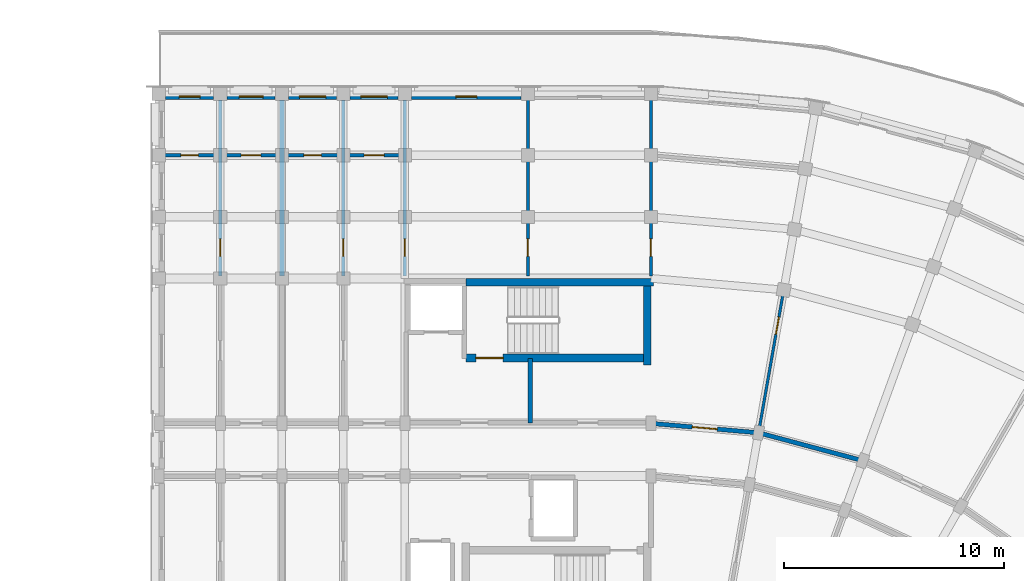
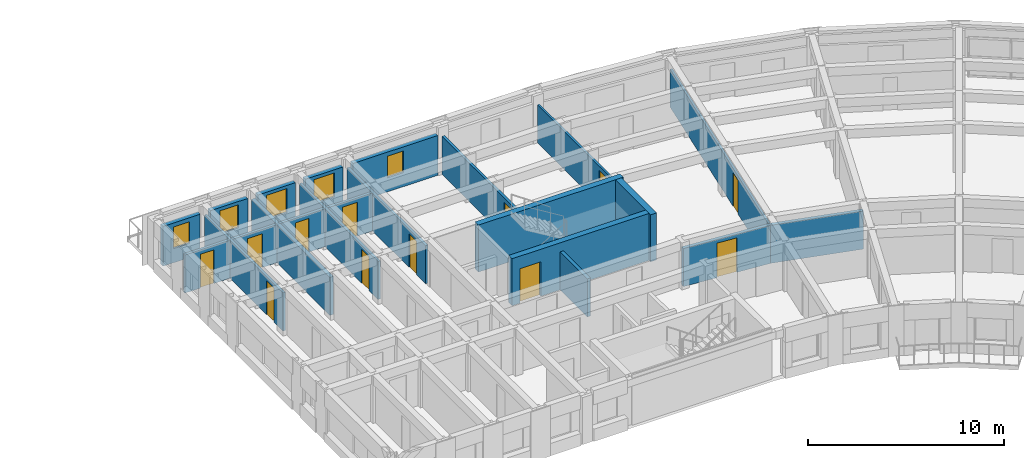
# One storey, part 30 of 53: 22 walls, 12 doors, 5 windows, 17 openings.
"""IFC4 building model written with IfcOpenShell, lengths in metres."""

import ifcopenshell
import ifcopenshell.guid

model = None  # the IFC model being written
_history = None  # IfcOwnerHistory: only IFC2X3 demands one
_inside = {}  # id of a spatial element -> (the spatial element, [elements in it])
_under = {}  # id of a project, library or spatial element -> (it, [spatial elements below it])
_declared = {}  # id of a project -> (the project, [libraries it declares])
_typed = {}  # id of a type object -> (the type object, [elements of that type])
_made_of = {}  # id of a material, layer set ... -> (it, [elements and type objects made of it])


def new_model(schema):
    """Start an empty IFC model of exactly this schema.

    Asked for "IFC4X3", IfcOpenShell would pick the latest addendum, in which some entities
    have other attributes; the version numbers below select the first issue.
    IFC2X3 requires an IfcOwnerHistory on every rooted entity: one is made here for all.
    """
    global model, _history
    if schema == "IFC4X3":
        model = ifcopenshell.file(schema_version=(4, 3, 0, 0))
    else:
        model = ifcopenshell.file(schema=schema)
    _inside.clear()
    _under.clear()
    _declared.clear()
    _typed.clear()
    _made_of.clear()
    _history = None
    if model.schema == "IFC2X3":
        org = make("IfcOrganization", Name="unknown")
        user = make(
            "IfcPersonAndOrganization",
            ThePerson=make("IfcPerson", FamilyName="unknown"),
            TheOrganization=org,
        )
        app = make(
            "IfcApplication",
            ApplicationDeveloper=org,
            Version="unknown",
            ApplicationFullName="unknown",
            ApplicationIdentifier="unknown",
        )
        _history = make(
            "IfcOwnerHistory",
            OwningUser=user,
            OwningApplication=app,
            ChangeAction="ADDED",
            CreationDate=0,
        )
    return model


def make(cls, **values):
    """One entity of the class cls with the attributes given. An attribute that is None is left unset."""
    return model.create_entity(
        cls, **{name: value for name, value in values.items() if value is not None}
    )


def rooted(cls, **values):
    """An entity with a GlobalId (a new one), such as an element, a storey or a relation."""
    return make(cls, GlobalId=ifcopenshell.guid.new(), OwnerHistory=_history, **values)


def si_unit(unit_type, name, prefix=None):
    """IfcSIUnit, for example si_unit("LENGTHUNIT", "METRE", prefix="MILLI")."""
    return make("IfcSIUnit", UnitType=unit_type, Prefix=prefix, Name=name)


def assignment(units):
    """IfcUnitAssignment: the units of a project."""
    return None if units is None else make("IfcUnitAssignment", Units=units)


def point(xyz):
    """IfcCartesianPoint."""
    return None if xyz is None else make("IfcCartesianPoint", Coordinates=xyz)


def direction(xyz):
    """IfcDirection."""
    return None if xyz is None else make("IfcDirection", DirectionRatios=xyz)


def frame(location, z_axis=None, x_axis=None):
    """IfcAxis2Placement3D, a coordinate frame: its origin and axes. An axis left out is left unset."""
    return make(
        "IfcAxis2Placement3D",
        Location=point(location),
        Axis=direction(z_axis),
        RefDirection=direction(x_axis),
    )


def frame_2d(location, x_axis=None):
    """IfcAxis2Placement2D, a coordinate frame in the plane: its origin and x axis."""
    return make(
        "IfcAxis2Placement2D", Location=point(location), RefDirection=direction(x_axis)
    )


def origin():
    """The frame at (0, 0, 0) with its axes left unset."""
    return frame((0.0, 0.0, 0.0))


def place(relative_to, where):
    """IfcLocalPlacement: puts the frame where relative to a parent placement (None: the world)."""
    return make(
        "IfcLocalPlacement", PlacementRelTo=relative_to, RelativePlacement=where
    )


def context(
    kind, dimensions, precision=None, world=None, true_north=None, identifier=None
):
    """IfcGeometricRepresentationContext, for example the 3D "Model" context."""
    return make(
        "IfcGeometricRepresentationContext",
        ContextIdentifier=identifier,
        ContextType=kind,
        CoordinateSpaceDimension=dimensions,
        Precision=precision,
        WorldCoordinateSystem=world,
        TrueNorth=true_north,
    )


def subcontext(parent, identifier, kind, view, scale=None):
    """IfcGeometricRepresentationSubContext, for example "Body" below "Model"."""
    return make(
        "IfcGeometricRepresentationSubContext",
        ContextIdentifier=identifier,
        ContextType=kind,
        ParentContext=parent,
        TargetScale=scale,
        TargetView=view,
    )


def project(units=None, contexts=None):
    """IfcProject with its units and contexts."""
    return rooted(
        "IfcProject",
        Name="project",
        RepresentationContexts=contexts,
        UnitsInContext=assignment(units),
    )


def spatial(cls, under=None, at=None, **own):
    """A site, building, storey or space (cls), placed at a placement, below another one or the project."""
    s = rooted(cls, ObjectPlacement=at, **own)
    if under is not None:
        _under.setdefault(under.id(), (under, []))[1].append(s)
    return s


def profile(cls, at=None, kind="AREA", **sizes):
    """A parametric profile (cls). Its sizes go by their IFC names, for example OverallWidth=200.0."""
    return make(cls, ProfileType=kind, Position=at, **sizes)


def rectangle(**sizes):
    """IfcRectangleProfileDef."""
    return profile("IfcRectangleProfileDef", **sizes)


def extrude(swept, where, along, depth):
    """IfcExtrudedAreaSolid: the profile swept, set in the frame where, extruded along a direction by depth."""
    return make(
        "IfcExtrudedAreaSolid",
        SweptArea=swept,
        Position=where,
        ExtrudedDirection=direction(along),
        Depth=depth,
    )


def shape(context_of_items, identifier, shape_type, items):
    """IfcShapeRepresentation: the items that make up one representation, for example the "Body"."""
    return make(
        "IfcShapeRepresentation",
        ContextOfItems=context_of_items,
        RepresentationIdentifier=identifier,
        RepresentationType=shape_type,
        Items=items,
    )


def material(Name=None, Category=None):
    """IfcMaterial."""
    return make("IfcMaterial", Name=Name, Category=Category)


def layer(
    of_material, thickness, ventilated=None, Name=None, Category=None, Priority=None
):
    """IfcMaterialLayer: one layer of a wall or slab, of a material (None: an air gap)."""
    return make(
        "IfcMaterialLayer",
        Material=of_material,
        LayerThickness=thickness,
        IsVentilated=ventilated,
        Name=Name,
        Category=Category,
        Priority=Priority,
    )


def layer_set(layers, Name=None):
    """IfcMaterialLayerSet."""
    return make("IfcMaterialLayerSet", MaterialLayers=layers, LayerSetName=Name)


def made_of(thing, what):
    """Note that an element or type object is made of a material, layer set ...; save() writes the relation."""
    if what is not None:
        _made_of.setdefault(what.id(), (what, []))[1].append(thing)
    return thing


def type_object(cls, material=None, **own):
    """A type object (cls), such as IfcWallType, which elements share."""
    return made_of(rooted(cls, **own), material)


def element(
    cls,
    number,
    at=None,
    inside=None,
    cuts=None,
    type_object=None,
    material=None,
    context=None,
    identifier="Body",
    shape_type=None,
    held_by="IfcProductDefinitionShape",
    body=None,
    shapes=None,
    **own,
):
    """One element of the class cls, such as IfcWall. Its Tag is "e" and its number.

    at: its placement. inside: the storey or other place that contains it. cuts: it is an
    opening in that element (IfcRelVoidsElement). A single representation is given by context,
    identifier, shape_type and body (its items); several are given by shapes. held_by: the class
    of the entity that holds the representations. save() writes the other relations.
    """
    e = rooted(cls, Tag="e%d" % number, ObjectPlacement=at, **own)
    if body is not None:
        shapes = [shape(context, identifier, shape_type, body)]
    if shapes is not None:
        e.Representation = make(held_by, Representations=shapes)
    if inside is not None:
        _inside.setdefault(inside.id(), (inside, []))[1].append(e)
    if cuts is not None:
        rooted(
            "IfcRelVoidsElement", RelatingBuildingElement=cuts, RelatedOpeningElement=e
        )
    if type_object is not None:
        _typed.setdefault(type_object.id(), (type_object, []))[1].append(e)
    return made_of(e, material)


def fill(opening, filler):
    """IfcRelFillsElement: the door or window that sits in an opening."""
    return rooted(
        "IfcRelFillsElement",
        RelatingOpeningElement=opening,
        RelatedBuildingElement=filler,
    )


def aggregate(whole, parts):
    """IfcRelAggregates: a whole, such as a stair, and the parts it consists of."""
    return rooted("IfcRelAggregates", RelatingObject=whole, RelatedObjects=parts)


def save(model, path):
    """Write the relations noted so far, then the file.

    IfcRelAggregates (storeys below a building ...), IfcRelContainedInSpatialStructure (elements
    in a storey), IfcRelDefinesByType, IfcRelAssociatesMaterial and IfcRelDeclares: one each for
    every whole, place, type object, material and project.
    """
    for whole, parts in _under.values():
        aggregate(whole, parts)
    for where, things in _inside.values():
        rooted(
            "IfcRelContainedInSpatialStructure",
            RelatedElements=things,
            RelatingStructure=where,
        )
    for kind, things in _typed.values():
        rooted("IfcRelDefinesByType", RelatedObjects=things, RelatingType=kind)
    for what, things in _made_of.values():
        rooted("IfcRelAssociatesMaterial", RelatedObjects=things, RelatingMaterial=what)
    for by, libraries in _declared.values():
        rooted("IfcRelDeclares", RelatingContext=by, RelatedDefinitions=libraries)
    model.write(path)


model = new_model("IFC4")

# Units and contexts
model_context = context("Model", 3, precision=1e-05, world=origin(), true_north=direction((0.0, 1.0)))
body_context = subcontext(model_context, "Body", "Model", "MODEL_VIEW")
ifc_project = project(units=[si_unit("LENGTHUNIT", "METRE"), si_unit("AREAUNIT", "SQUARE_METRE"), si_unit("VOLUMEUNIT", "CUBIC_METRE"), si_unit("PLANEANGLEUNIT", "RADIAN"), si_unit("MASSUNIT", "GRAM", prefix="KILO")], contexts=[model_context])

# Site, building, storey
site_placement = place(None, origin())
site = spatial("IfcSite", under=ifc_project, at=site_placement, CompositionType="ELEMENT")
building_placement = place(site_placement, origin())
building = spatial("IfcBuilding", under=site, at=building_placement, Name="Kiranvali Square Residences", CompositionType="ELEMENT")
storey_placement = place(building_placement, frame((0.0, 0.0, 30.75)))
storey = spatial("IfcBuildingStorey", under=building, at=storey_placement, Name="L09", CompositionType="ELEMENT", Elevation=30.75)

# Wall, opening, door
ifc_material_1 = material(Name="Autoclaved aerated concrete blockwork masonry", Category="masonry")
ifc_layer_1 = layer(ifc_material_1, 0.199951171875)
ifc_layer_set_1 = layer_set([ifc_layer_1], Name="Autoclaved aerated concrete blockwork masonry")
wall_type_1 = type_object("IfcWallType", Name="WL-COR-200", PredefinedType="STANDARD", material=ifc_layer_set_1)
wall_1_placement = place(storey_placement, frame((119.800048828125, 116.0, 0.0), z_axis=(0.0, 0.0, 1.0), x_axis=(0.996193663584, -0.087167566415, 0.0)))
wall_1 = element("IfcWall", 1, at=wall_1_placement, inside=storey, type_object=wall_type_1, Name="L09 architectural wall WL-L09-B-CCO-0", PredefinedType="STANDARD", context=body_context, shape_type="SweptSolid", body=[
    extrude(rectangle(XDim=4.91552734375, YDim=0.199951171875, at=frame_2d((2.457763671875, 0.0))), origin(), (0.0, 0.0, 1.0), 2.3720703125),
])
opening_1_placement = place(wall_1_placement, frame((1.8876953125, 0.0, 0.0)))
opening_1 = element("IfcOpeningElement", 2, at=opening_1_placement, cuts=wall_1, Name="Opening FD-APT-60D", PredefinedType="OPENING", context=body_context, shape_type="SweptSolid", body=[
    extrude(rectangle(XDim=1.139892578125, YDim=2.14990234375, at=frame_2d((0.56982421875, 1.074951171875))), frame((0.0, 0.10986328125, 0.0), z_axis=(0.0, -1.0, 0.0), x_axis=(1.0, 0.0, 0.0)), (0.0, 0.0, 1.0), 0.219970703125),
])
ifc_material_2 = material(Name="Fire-rated acoustic hardwood and mineral-core door assembly", Category="wood")
door_type_1 = type_object("IfcDoorType", Name="DR-APT-1140", OperationType="NOTDEFINED", PredefinedType="DOOR", material=ifc_material_2)
door_1_placement = place(opening_1_placement, origin())
door_1 = element("IfcDoor", 3, at=door_1_placement, inside=storey, type_object=door_type_1, Name="L09 door DR-L09-1551 (DR-APT-1140)", OperationType="SINGLE_SWING_LEFT", OverallHeight=2.14990234375, OverallWidth=1.139892578125, PredefinedType="DOOR", context=body_context, shape_type="SweptSolid", body=[
    extrude(rectangle(XDim=1.139892578125, YDim=2.14990234375, at=frame_2d((0.56982421875, 1.074951171875))), frame((0.0, 0.02490234375, 0.0), z_axis=(0.0, -1.0, 0.0), x_axis=(1.0, 0.0, 0.0)), (0.0, 0.0, 1.0), 0.050048828125),
])
fill(opening_1, door_1)

# Walls
wall_2_placement = place(storey_placement, frame((124.69677734375, 115.571533203125, 0.0), z_axis=(0.0, 0.0, 1.0), x_axis=(0.965930095386, -0.258803112091, 0.0)))
element("IfcWall", 4, at=wall_2_placement, inside=storey, type_object=wall_type_1, Name="L09 architectural wall WL-L09-B-CCO-1", PredefinedType="STANDARD", context=body_context, shape_type="SweptSolid", body=[
    extrude(rectangle(XDim=4.915771484375, YDim=0.199951171875, at=frame_2d((2.4580078125, 0.0))), origin(), (0.0, 0.0, 1.0), 2.3720703125),
])
ifc_layer_2 = layer(ifc_material_1, 0.219970703125)
ifc_layer_set_2 = layer_set([ifc_layer_2], Name="Autoclaved aerated concrete blockwork masonry")
wall_type_2 = type_object("IfcWallType", Name="WL-DEM-220", PredefinedType="STANDARD", material=ifc_layer_set_2)
wall_3_placement = place(storey_placement, frame((103.0, 122.699951171875, 0.0), z_axis=(0.0, 0.0, 1.0), x_axis=(0.0, 1.0, 0.0)))
element("IfcWall", 5, at=wall_3_placement, inside=storey, type_object=wall_type_2, Name="L09 architectural wall WL-L09-B-A1TO2-2", PredefinedType="STANDARD", context=body_context, shape_type="SweptSolid", body=[
    extrude(rectangle(XDim=8.02001953125, YDim=0.219970703125, at=frame_2d((4.010009765625, 0.0))), origin(), (0.0, 0.0, 1.0), 2.3720703125),
])

# Wall, opening, window
ifc_material_3 = material(Name="Breathable lime-rendered clay brick masonry", Category="masonry")
ifc_layer_3 = layer(ifc_material_3, 0.25)
ifc_layer_set_3 = layer_set([ifc_layer_3], Name="Breathable lime-rendered clay brick masonry")
wall_type_3 = type_object("IfcWallType", Name="WL-EXT-250", PredefinedType="STANDARD", material=ifc_layer_set_3)
wall_4_placement = place(storey_placement, frame((113.896484375, 130.875, 0.0), z_axis=(0.0, 0.0, 1.0), x_axis=(-1.0, 0.0, 0.0)))
wall_4 = element("IfcWall", 6, at=wall_4_placement, inside=storey, type_object=wall_type_3, Name="L09 exterior wall B-L09-A1O-1", PredefinedType="STANDARD", context=body_context, shape_type="SweptSolid", body=[
    extrude(rectangle(XDim=4.992919921875, YDim=0.25, at=frame_2d((2.49658203125, 0.0))), origin(), (0.0, 0.0, 1.0), 2.47998046875),
])
opening_2_placement = place(wall_4_placement, frame((2.021484375, 0.0, 0.8798828125)))
opening_2 = element("IfcOpeningElement", 7, at=opening_2_placement, cuts=wall_4, Name="Opening W-16", PredefinedType="OPENING", context=body_context, shape_type="SweptSolid", body=[
    extrude(rectangle(XDim=0.949951171875, YDim=1.35009765625, at=frame_2d((0.47509765625, 0.675048828125))), frame((0.0, 0.135009765625, 0.0), z_axis=(0.0, -1.0, 0.0), x_axis=(1.0, 0.0, 0.0)), (0.0, 0.0, 1.0), 0.27001953125),
])
ifc_material_4 = material(Name="Solar-control low-e double glazing", Category="glass")
window_type_1 = type_object("IfcWindowType", Name="WIN-RES-950x1350", PartitioningType="SINGLE_PANEL", PredefinedType="WINDOW", material=ifc_material_4)
window_1_placement = place(opening_2_placement, origin())
window_1 = element("IfcWindow", 8, at=window_1_placement, inside=storey, type_object=window_type_1, Name="L09 recessed window B-L09-A1O-1", OverallHeight=1.35009765625, OverallWidth=0.949951171875, PartitioningType="SINGLE_PANEL", PredefinedType="WINDOW", context=body_context, shape_type="SweptSolid", body=[
    extrude(rectangle(XDim=0.949951171875, YDim=1.35009765625, at=frame_2d((0.47509765625, 0.675048828125))), frame((0.0, 0.030029296875, 0.0), z_axis=(0.0, -1.0, 0.0), x_axis=(1.0, 0.0, 0.0)), (0.0, 0.0, 1.0), 0.06005859375),
])
fill(opening_2, window_1)

wall_5_placement = place(storey_placement, frame((108.29638671875, 130.875, 0.0), z_axis=(0.0, 0.0, 1.0), x_axis=(-1.0, 0.0, 0.0)))
wall_5 = element("IfcWall", 9, at=wall_5_placement, inside=storey, type_object=wall_type_3, Name="L09 exterior wall B-L09-A1O-2", PredefinedType="STANDARD", context=body_context, shape_type="SweptSolid", body=[
    extrude(rectangle(XDim=2.19287109375, YDim=0.25, at=frame_2d((1.096435546875, 0.0))), origin(), (0.0, 0.0, 1.0), 2.47998046875),
])
opening_3_placement = place(wall_5_placement, frame((0.49658203125, 0.0, 0.780029296875)))
opening_3 = element("IfcOpeningElement", 10, at=opening_3_placement, cuts=wall_5, Name="Opening W-06", PredefinedType="OPENING", context=body_context, shape_type="SweptSolid", body=[
    extrude(rectangle(XDim=1.199951171875, YDim=1.5, at=frame_2d((0.60009765625, 0.75))), frame((0.0, 0.135009765625, 0.0), z_axis=(0.0, -1.0, 0.0), x_axis=(1.0, 0.0, 0.0)), (0.0, 0.0, 1.0), 0.27001953125),
])
window_type_2 = type_object("IfcWindowType", Name="WIN-RES-1200x1500", PartitioningType="SINGLE_PANEL", PredefinedType="WINDOW", material=ifc_material_4)
window_2_placement = place(opening_3_placement, origin())
window_2 = element("IfcWindow", 11, at=window_2_placement, inside=storey, type_object=window_type_2, Name="L09 recessed window B-L09-A1O-2", OverallHeight=1.5, OverallWidth=1.199951171875, PartitioningType="SINGLE_PANEL", PredefinedType="WINDOW", context=body_context, shape_type="SweptSolid", body=[
    extrude(rectangle(XDim=1.199951171875, YDim=1.5, at=frame_2d((0.60009765625, 0.75))), frame((0.0, 0.030029296875, 0.0), z_axis=(0.0, -1.0, 0.0), x_axis=(1.0, 0.0, 0.0)), (0.0, 0.0, 1.0), 0.06005859375),
])
fill(opening_3, window_2)

wall_6_placement = place(storey_placement, frame((105.49658203125, 130.875, 0.0), z_axis=(0.0, 0.0, 1.0), x_axis=(-1.0, 0.0, 0.0)))
wall_6 = element("IfcWall", 12, at=wall_6_placement, inside=storey, type_object=wall_type_3, Name="L09 exterior wall B-L09-A1O-3", PredefinedType="STANDARD", context=body_context, shape_type="SweptSolid", body=[
    extrude(rectangle(XDim=2.193115234375, YDim=0.25, at=frame_2d((1.0966796875, 0.0))), origin(), (0.0, 0.0, 1.0), 2.47998046875),
])
opening_4_placement = place(wall_6_placement, frame((0.49658203125, 0.0, 0.780029296875)))
opening_4 = element("IfcOpeningElement", 13, at=opening_4_placement, cuts=wall_6, Name="Opening W-06", PredefinedType="OPENING", context=body_context, shape_type="SweptSolid", body=[
    extrude(rectangle(XDim=1.199951171875, YDim=1.5, at=frame_2d((0.60009765625, 0.75))), frame((0.0, 0.135009765625, 0.0), z_axis=(0.0, -1.0, 0.0), x_axis=(1.0, 0.0, 0.0)), (0.0, 0.0, 1.0), 0.27001953125),
])
window_3_placement = place(opening_4_placement, origin())
window_3 = element("IfcWindow", 14, at=window_3_placement, inside=storey, type_object=window_type_2, Name="L09 recessed window B-L09-A1O-3", OverallHeight=1.5, OverallWidth=1.199951171875, PartitioningType="SINGLE_PANEL", PredefinedType="WINDOW", context=body_context, shape_type="SweptSolid", body=[
    extrude(rectangle(XDim=1.199951171875, YDim=1.5, at=frame_2d((0.60009765625, 0.75))), frame((0.0, 0.030029296875, 0.0), z_axis=(0.0, -1.0, 0.0), x_axis=(1.0, 0.0, 0.0)), (0.0, 0.0, 1.0), 0.06005859375),
])
fill(opening_4, window_3)

wall_7_placement = place(storey_placement, frame((102.696533203125, 130.875, 0.0), z_axis=(0.0, 0.0, 1.0), x_axis=(-1.0, 0.0, 0.0)))
wall_7 = element("IfcWall", 15, at=wall_7_placement, inside=storey, type_object=wall_type_3, Name="L09 exterior wall B-L09-A1O-4", PredefinedType="STANDARD", context=body_context, shape_type="SweptSolid", body=[
    extrude(rectangle(XDim=2.193115234375, YDim=0.25, at=frame_2d((1.0966796875, 0.0))), origin(), (0.0, 0.0, 1.0), 2.47998046875),
])
opening_5_placement = place(wall_7_placement, frame((0.54638671875, 0.0, 0.830078125)))
opening_5 = element("IfcOpeningElement", 16, at=opening_5_placement, cuts=wall_7, Name="Opening W-15", PredefinedType="OPENING", context=body_context, shape_type="SweptSolid", body=[
    extrude(rectangle(XDim=1.10009765625, YDim=1.449951171875, at=frame_2d((0.550048828125, 0.72509765625))), frame((0.0, 0.135009765625, 0.0), z_axis=(0.0, -1.0, 0.0), x_axis=(1.0, 0.0, 0.0)), (0.0, 0.0, 1.0), 0.27001953125),
])
window_type_3 = type_object("IfcWindowType", Name="WIN-RES-1100x1450", PartitioningType="SINGLE_PANEL", PredefinedType="WINDOW", material=ifc_material_4)
window_4_placement = place(opening_5_placement, origin())
window_4 = element("IfcWindow", 17, at=window_4_placement, inside=storey, type_object=window_type_3, Name="L09 recessed window B-L09-A1O-4", OverallHeight=1.449951171875, OverallWidth=1.10009765625, PartitioningType="SINGLE_PANEL", PredefinedType="WINDOW", context=body_context, shape_type="SweptSolid", body=[
    extrude(rectangle(XDim=1.10009765625, YDim=1.449951171875, at=frame_2d((0.550048828125, 0.72509765625))), frame((0.0, 0.030029296875, 0.0), z_axis=(0.0, -1.0, 0.0), x_axis=(1.0, 0.0, 0.0)), (0.0, 0.0, 1.0), 0.06005859375),
])
fill(opening_5, window_4)

wall_8_placement = place(storey_placement, frame((99.896484375, 130.875, 0.0), z_axis=(0.0, 0.0, 1.0), x_axis=(-1.0, 0.0, 0.0)))
wall_8 = element("IfcWall", 18, at=wall_8_placement, inside=storey, type_object=wall_type_3, Name="L09 exterior wall B-L09-A1O-5", PredefinedType="STANDARD", context=body_context, shape_type="SweptSolid", body=[
    extrude(rectangle(XDim=2.19287109375, YDim=0.25, at=frame_2d((1.096435546875, 0.0))), origin(), (0.0, 0.0, 1.0), 2.47998046875),
])
opening_6_placement = place(wall_8_placement, frame((0.62158203125, 0.0, 0.8798828125)))
opening_6 = element("IfcOpeningElement", 19, at=opening_6_placement, cuts=wall_8, Name="Opening W-16", PredefinedType="OPENING", context=body_context, shape_type="SweptSolid", body=[
    extrude(rectangle(XDim=0.949951171875, YDim=1.35009765625, at=frame_2d((0.47509765625, 0.675048828125))), frame((0.0, 0.135009765625, 0.0), z_axis=(0.0, -1.0, 0.0), x_axis=(1.0, 0.0, 0.0)), (0.0, 0.0, 1.0), 0.27001953125),
])
window_5_placement = place(opening_6_placement, origin())
window_5 = element("IfcWindow", 20, at=window_5_placement, inside=storey, type_object=window_type_1, Name="L09 recessed window B-L09-A1O-5", OverallHeight=1.35009765625, OverallWidth=0.949951171875, PartitioningType="SINGLE_PANEL", PredefinedType="WINDOW", context=body_context, shape_type="SweptSolid", body=[
    extrude(rectangle(XDim=0.949951171875, YDim=1.35009765625, at=frame_2d((0.47509765625, 0.675048828125))), frame((0.0, 0.030029296875, 0.0), z_axis=(0.0, -1.0, 0.0), x_axis=(1.0, 0.0, 0.0)), (0.0, 0.0, 1.0), 0.06005859375),
])
fill(opening_6, window_5)

# Wall
ifc_layer_4 = layer(ifc_material_1, 0.199951171875)
ifc_layer_set_4 = layer_set([ifc_layer_4], Name="Autoclaved aerated concrete blockwork masonry")
wall_type_4 = type_object("IfcWallType", Name="WL-FFL-200", PredefinedType="STANDARD", material=ifc_layer_set_4)
wall_9_placement = place(storey_placement, frame((114.300048828125, 116.02001953125, 0.0), z_axis=(0.0, 0.0, 1.0), x_axis=(0.0, 1.0, 0.0)))
element("IfcWall", 21, at=wall_9_placement, inside=storey, type_object=wall_type_4, Name="L09 architectural wall WL-L09-B-FF-DIV", PredefinedType="STANDARD", context=body_context, shape_type="SweptSolid", body=[
    extrude(rectangle(XDim=2.929931640625, YDim=0.199951171875, at=frame_2d((1.46484375, 0.0))), origin(), (0.0, 0.0, 1.0), 2.3720703125),
])

# Wall, opening, door
ifc_material_5 = material(Name="Acoustic gypsum board drylined partition", Category="gypsum")
ifc_layer_5 = layer(ifc_material_5, 0.125)
ifc_layer_set_5 = layer_set([ifc_layer_5], Name="Acoustic gypsum board drylined partition")
wall_type_5 = type_object("IfcWallType", Name="WL-PRT-125", PredefinedType="PARTITIONING", material=ifc_layer_set_5)
wall_10_placement = place(storey_placement, frame((119.800048828125, 122.699951171875, 0.0), z_axis=(0.0, 0.0, 1.0), x_axis=(0.0, 1.0, 0.0)))
wall_10 = element("IfcWall", 22, at=wall_10_placement, inside=storey, type_object=wall_type_5, Name="L09 architectural wall WL-L09-B-RADO-0", PredefinedType="PARTITIONING", context=body_context, shape_type="SweptSolid", body=[
    extrude(rectangle(XDim=8.02001953125, YDim=0.125, at=frame_2d((4.010009765625, 0.0))), origin(), (0.0, 0.0, 1.0), 2.3720703125),
])
opening_7_placement = place(wall_10_placement, frame((0.900146484375, 0.0, 0.0)))
opening_7 = element("IfcOpeningElement", 23, at=opening_7_placement, cuts=wall_10, Name="Opening ID-WET", PredefinedType="OPENING", context=body_context, shape_type="SweptSolid", body=[
    extrude(rectangle(XDim=0.800048828125, YDim=2.10009765625, at=frame_2d((0.39990234375, 1.050048828125))), frame((0.0, 0.072509765625, 0.0), z_axis=(0.0, -1.0, 0.0), x_axis=(1.0, 0.0, 0.0)), (0.0, 0.0, 1.0), 0.14501953125),
])
ifc_material_6 = material(Name="Solid seasoned teak hardwood joinery", Category="wood")
door_type_2 = type_object("IfcDoorType", Name="DR-WET-800", OperationType="NOTDEFINED", PredefinedType="DOOR", material=ifc_material_6)
door_2_placement = place(opening_7_placement, frame((0.800048828125, 0.0, 0.0), z_axis=(0.0, 0.0, 1.0), x_axis=(-1.0, 0.0, 0.0)))
door_2 = element("IfcDoor", 24, at=door_2_placement, inside=storey, type_object=door_type_2, Name="L09 door DR-L09-1540 (DR-WET-800)", OperationType="SINGLE_SWING_RIGHT", OverallHeight=2.10009765625, OverallWidth=0.800048828125, PredefinedType="DOOR", context=body_context, shape_type="SweptSolid", body=[
    extrude(rectangle(XDim=0.800048828125, YDim=2.10009765625, at=frame_2d((0.39990234375, 1.050048828125))), frame((0.0, 0.02490234375, 0.0), z_axis=(0.0, -1.0, 0.0), x_axis=(1.0, 0.0, 0.0)), (0.0, 0.0, 1.0), 0.050048828125),
])
fill(opening_7, door_2)

wall_11_placement = place(storey_placement, frame((124.71435546875, 115.670166015625, 0.0), z_axis=(0.0, 0.0, 1.0), x_axis=(0.173639577162, 0.984809269474, 0.0)))
wall_11 = element("IfcWall", 25, at=wall_11_placement, inside=storey, type_object=wall_type_5, Name="L09 architectural wall WL-L09-B-RADO-1", PredefinedType="PARTITIONING", context=body_context, shape_type="SweptSolid", body=[
    extrude(rectangle(XDim=14.619873046875, YDim=0.125, at=frame_2d((7.31005859375, 0.0))), origin(), (0.0, 0.0, 1.0), 2.3720703125),
])
opening_8_placement = place(wall_11_placement, frame((4.449462890625, 0.0, 0.0)))
opening_8 = element("IfcOpeningElement", 26, at=opening_8_placement, cuts=wall_11, Name="Opening ID-WET", PredefinedType="OPENING", context=body_context, shape_type="SweptSolid", body=[
    extrude(rectangle(XDim=0.800048828125, YDim=2.10009765625, at=frame_2d((0.39990234375, 1.050048828125))), frame((0.0, 0.072509765625, 0.0), z_axis=(0.0, -1.0, 0.0), x_axis=(1.0, 0.0, 0.0)), (0.0, 0.0, 1.0), 0.14501953125),
])
door_3_placement = place(opening_8_placement, frame((0.800048828125, 0.0, 0.0), z_axis=(0.0, 0.0, 1.0), x_axis=(-1.0, 0.0, 0.0)))
door_3 = element("IfcDoor", 27, at=door_3_placement, inside=storey, type_object=door_type_2, Name="L09 door DR-L09-1542 (DR-WET-800)", OperationType="SINGLE_SWING_RIGHT", OverallHeight=2.10009765625, OverallWidth=0.800048828125, PredefinedType="DOOR", context=body_context, shape_type="SweptSolid", body=[
    extrude(rectangle(XDim=0.800048828125, YDim=2.10009765625, at=frame_2d((0.39990234375, 1.050048828125))), frame((0.0, 0.02490234375, 0.0), z_axis=(0.0, -1.0, 0.0), x_axis=(1.0, 0.0, 0.0)), (0.0, 0.0, 1.0), 0.050048828125),
])
fill(opening_8, door_3)

ifc_layer_6 = layer(ifc_material_5, 0.14990234375)
ifc_layer_set_6 = layer_set([ifc_layer_6], Name="Acoustic gypsum board drylined partition")
wall_type_6 = type_object("IfcWallType", Name="WL-PRT-150", PredefinedType="PARTITIONING", material=ifc_layer_set_6)
wall_12_placement = place(storey_placement, frame((114.199951171875, 122.699951171875, 0.0), z_axis=(0.0, 0.0, 1.0), x_axis=(0.0, 1.0, 0.0)))
wall_12 = element("IfcWall", 28, at=wall_12_placement, inside=storey, type_object=wall_type_6, Name="L09 architectural wall WL-L09-B-CF-MID", PredefinedType="PARTITIONING", context=body_context, shape_type="SweptSolid", body=[
    extrude(rectangle(XDim=8.02001953125, YDim=0.14990234375, at=frame_2d((4.010009765625, 0.0))), origin(), (0.0, 0.0, 1.0), 2.3720703125),
])
opening_9_placement = place(wall_12_placement, frame((0.900146484375, 0.0, 0.0)))
opening_9 = element("IfcOpeningElement", 29, at=opening_9_placement, cuts=wall_12, Name="Opening ID-WET", PredefinedType="OPENING", context=body_context, shape_type="SweptSolid", body=[
    extrude(rectangle(XDim=0.800048828125, YDim=2.10009765625, at=frame_2d((0.39990234375, 1.050048828125))), frame((0.0, 0.0849609375, 0.0), z_axis=(0.0, -1.0, 0.0), x_axis=(1.0, 0.0, 0.0)), (0.0, 0.0, 1.0), 0.169921875),
])
door_4_placement = place(opening_9_placement, frame((0.800048828125, 0.0, 0.0), z_axis=(0.0, 0.0, 1.0), x_axis=(-1.0, 0.0, 0.0)))
door_4 = element("IfcDoor", 30, at=door_4_placement, inside=storey, type_object=door_type_2, Name="L09 door DR-L09-1524 (DR-WET-800)", OperationType="SINGLE_SWING_RIGHT", OverallHeight=2.10009765625, OverallWidth=0.800048828125, PredefinedType="DOOR", context=body_context, shape_type="SweptSolid", body=[
    extrude(rectangle(XDim=0.800048828125, YDim=2.10009765625, at=frame_2d((0.39990234375, 1.050048828125))), frame((0.0, 0.02490234375, 0.0), z_axis=(0.0, -1.0, 0.0), x_axis=(1.0, 0.0, 0.0)), (0.0, 0.0, 1.0), 0.050048828125),
])
fill(opening_9, door_4)

wall_13_placement = place(storey_placement, frame((108.60009765625, 122.699951171875, 0.0), z_axis=(0.0, 0.0, 1.0), x_axis=(0.0, 1.0, 0.0)))
wall_13 = element("IfcWall", 31, at=wall_13_placement, inside=storey, type_object=wall_type_6, Name="L09 architectural wall WL-L09-B-A1TO2-0", PredefinedType="PARTITIONING", context=body_context, shape_type="SweptSolid", body=[
    extrude(rectangle(XDim=8.02001953125, YDim=0.14990234375, at=frame_2d((4.010009765625, 0.0))), origin(), (0.0, 0.0, 1.0), 2.3720703125),
])
opening_10_placement = place(wall_13_placement, frame((0.900146484375, 0.0, 0.0)))
opening_10 = element("IfcOpeningElement", 32, at=opening_10_placement, cuts=wall_13, Name="Opening ID-WET", PredefinedType="OPENING", context=body_context, shape_type="SweptSolid", body=[
    extrude(rectangle(XDim=0.800048828125, YDim=2.10009765625, at=frame_2d((0.39990234375, 1.050048828125))), frame((0.0, 0.0849609375, 0.0), z_axis=(0.0, -1.0, 0.0), x_axis=(1.0, 0.0, 0.0)), (0.0, 0.0, 1.0), 0.169921875),
])
door_5_placement = place(opening_10_placement, origin())
door_5 = element("IfcDoor", 33, at=door_5_placement, inside=storey, type_object=door_type_2, Name="L09 door DR-L09-1533 (DR-WET-800)", OperationType="SINGLE_SWING_LEFT", OverallHeight=2.10009765625, OverallWidth=0.800048828125, PredefinedType="DOOR", context=body_context, shape_type="SweptSolid", body=[
    extrude(rectangle(XDim=0.800048828125, YDim=2.10009765625, at=frame_2d((0.39990234375, 1.050048828125))), frame((0.0, 0.02490234375, 0.0), z_axis=(0.0, -1.0, 0.0), x_axis=(1.0, 0.0, 0.0)), (0.0, 0.0, 1.0), 0.050048828125),
])
fill(opening_10, door_5)

wall_14_placement = place(storey_placement, frame((105.800048828125, 122.699951171875, 0.0), z_axis=(0.0, 0.0, 1.0), x_axis=(0.0, 1.0, 0.0)))
wall_14 = element("IfcWall", 34, at=wall_14_placement, inside=storey, type_object=wall_type_6, Name="L09 architectural wall WL-L09-B-A1TO2-1", PredefinedType="PARTITIONING", context=body_context, shape_type="SweptSolid", body=[
    extrude(rectangle(XDim=8.02001953125, YDim=0.14990234375, at=frame_2d((4.010009765625, 0.0))), origin(), (0.0, 0.0, 1.0), 2.3720703125),
])
opening_11_placement = place(wall_14_placement, frame((0.900146484375, 0.0, 0.0)))
opening_11 = element("IfcOpeningElement", 35, at=opening_11_placement, cuts=wall_14, Name="Opening ID-WET", PredefinedType="OPENING", context=body_context, shape_type="SweptSolid", body=[
    extrude(rectangle(XDim=0.800048828125, YDim=2.10009765625, at=frame_2d((0.39990234375, 1.050048828125))), frame((0.0, 0.0849609375, 0.0), z_axis=(0.0, -1.0, 0.0), x_axis=(1.0, 0.0, 0.0)), (0.0, 0.0, 1.0), 0.169921875),
])
door_6_placement = place(opening_11_placement, frame((0.800048828125, 0.0, 0.0), z_axis=(0.0, 0.0, 1.0), x_axis=(-1.0, 0.0, 0.0)))
door_6 = element("IfcDoor", 36, at=door_6_placement, inside=storey, type_object=door_type_2, Name="L09 door DR-L09-1536 (DR-WET-800)", OperationType="SINGLE_SWING_RIGHT", OverallHeight=2.10009765625, OverallWidth=0.800048828125, PredefinedType="DOOR", context=body_context, shape_type="SweptSolid", body=[
    extrude(rectangle(XDim=0.800048828125, YDim=2.10009765625, at=frame_2d((0.39990234375, 1.050048828125))), frame((0.0, 0.02490234375, 0.0), z_axis=(0.0, -1.0, 0.0), x_axis=(1.0, 0.0, 0.0)), (0.0, 0.0, 1.0), 0.050048828125),
])
fill(opening_11, door_6)

wall_15_placement = place(storey_placement, frame((100.199951171875, 122.699951171875, 0.0), z_axis=(0.0, 0.0, 1.0), x_axis=(0.0, 1.0, 0.0)))
wall_15 = element("IfcWall", 37, at=wall_15_placement, inside=storey, type_object=wall_type_6, Name="L09 architectural wall WL-L09-B-A1TO2-3", PredefinedType="PARTITIONING", context=body_context, shape_type="SweptSolid", body=[
    extrude(rectangle(XDim=8.02001953125, YDim=0.14990234375, at=frame_2d((4.010009765625, 0.0))), origin(), (0.0, 0.0, 1.0), 2.3720703125),
])
opening_12_placement = place(wall_15_placement, frame((0.900146484375, 0.0, 0.0)))
opening_12 = element("IfcOpeningElement", 38, at=opening_12_placement, cuts=wall_15, Name="Opening ID-WET", PredefinedType="OPENING", context=body_context, shape_type="SweptSolid", body=[
    extrude(rectangle(XDim=0.800048828125, YDim=2.10009765625, at=frame_2d((0.39990234375, 1.050048828125))), frame((0.0, 0.0849609375, 0.0), z_axis=(0.0, -1.0, 0.0), x_axis=(1.0, 0.0, 0.0)), (0.0, 0.0, 1.0), 0.169921875),
])
door_7_placement = place(opening_12_placement, origin())
door_7 = element("IfcDoor", 39, at=door_7_placement, inside=storey, type_object=door_type_2, Name="L09 door DR-L09-1539 (DR-WET-800)", OperationType="SINGLE_SWING_LEFT", OverallHeight=2.10009765625, OverallWidth=0.800048828125, PredefinedType="DOOR", context=body_context, shape_type="SweptSolid", body=[
    extrude(rectangle(XDim=0.800048828125, YDim=2.10009765625, at=frame_2d((0.39990234375, 1.050048828125))), frame((0.0, 0.02490234375, 0.0), z_axis=(0.0, -1.0, 0.0), x_axis=(1.0, 0.0, 0.0)), (0.0, 0.0, 1.0), 0.050048828125),
])
fill(opening_12, door_7)

# Wall
ifc_material_7 = material(Name="Concrete M45 (45 MPa)", Category="concrete")
ifc_layer_7 = layer(ifc_material_7, 0.320068359375)
ifc_layer_set_7 = layer_set([ifc_layer_7], Name="Concrete M45 (45 MPa)")
wall_type_7 = type_object("IfcWallType", Name="WL-SHR-320", PredefinedType="SHEAR", material=ifc_layer_set_7)
wall_16_placement = place(storey_placement, frame((119.919921875, 122.425048828125, 0.0), z_axis=(0.0, 0.0, 1.0), x_axis=(-1.0, 0.0, 0.0)))
element("IfcWall", 40, at=wall_16_placement, inside=storey, type_object=wall_type_7, Name="Block B core shear wall SW-B1-OUT-L09", PredefinedType="SHEAR", context=body_context, shape_type="SweptSolid", body=[
    extrude(rectangle(XDim=8.544921875, YDim=0.35009765625, at=frame_2d((4.2724609375, 0.0))), origin(), (0.0, 0.0, 1.0), 2.929931640625),
])

# Wall, opening, door
wall_17_placement = place(storey_placement, frame((119.449951171875, 118.97509765625, 0.0), z_axis=(0.0, 0.0, 1.0), x_axis=(-1.0, 0.0, 0.0)))
wall_17 = element("IfcWall", 41, at=wall_17_placement, inside=storey, type_object=wall_type_7, Name="Block B core shear wall SW-B1-IN-L09", PredefinedType="SHEAR", context=body_context, shape_type="SweptSolid", body=[
    extrude(rectangle(XDim=8.074951171875, YDim=0.35009765625, at=frame_2d((4.03759765625, 0.0))), origin(), (0.0, 0.0, 1.0), 2.929931640625),
])
opening_13_placement = place(wall_17_placement, frame((6.3798828125, 0.0, 0.0)))
opening_13 = element("IfcOpeningElement", 42, at=opening_13_placement, cuts=wall_17, Name="Opening FD-ST-120", PredefinedType="OPENING", context=body_context, shape_type="SweptSolid", body=[
    extrude(rectangle(XDim=1.239990234375, YDim=2.14990234375, at=frame_2d((0.6201171875, 1.074951171875))), frame((0.0, 0.18505859375, 0.0), z_axis=(0.0, -1.0, 0.0), x_axis=(1.0, 0.0, 0.0)), (0.0, 0.0, 1.0), 0.3701171875),
])
door_type_3 = type_object("IfcDoorType", Name="DR-FD120-1200", OperationType="NOTDEFINED", PredefinedType="DOOR", material=ifc_material_2)
door_8_placement = place(opening_13_placement, frame((1.239990234375, 0.0, 0.0), z_axis=(0.0, 0.0, 1.0), x_axis=(-1.0, 0.0, 0.0)))
door_8 = element("IfcDoor", 43, at=door_8_placement, inside=storey, type_object=door_type_3, Name="L09 door DR-L09-1516 (DR-FD120-1200)", OperationType="SINGLE_SWING_RIGHT", OverallHeight=2.14990234375, OverallWidth=1.239990234375, PredefinedType="DOOR", context=body_context, shape_type="SweptSolid", body=[
    extrude(rectangle(XDim=1.239990234375, YDim=2.14990234375, at=frame_2d((0.6201171875, 1.074951171875))), frame((0.0, 0.02490234375, 0.0), z_axis=(0.0, -1.0, 0.0), x_axis=(1.0, 0.0, 0.0)), (0.0, 0.0, 1.0), 0.050048828125),
])
fill(opening_13, door_8)

# Wall
wall_18_placement = place(storey_placement, frame((119.625, 118.64990234375, 0.0), z_axis=(0.0, 0.0, 1.0), x_axis=(0.0, 1.0, 0.0)))
element("IfcWall", 44, at=wall_18_placement, inside=storey, type_object=wall_type_7, Name="Block B core shear wall SW-B1-FAR-L09", PredefinedType="SHEAR", context=body_context, shape_type="SweptSolid", body=[
    extrude(rectangle(XDim=3.60009765625, YDim=0.35009765625, at=frame_2d((1.800048828125, 0.0))), origin(), (0.0, 0.0, 1.0), 2.929931640625),
])

# Wall, opening, door
ifc_layer_8 = layer(ifc_material_1, 0.159912109375)
ifc_layer_set_8 = layer_set([ifc_layer_8], Name="Autoclaved aerated concrete blockwork masonry")
wall_type_8 = type_object("IfcWallType", Name="WL-WET-160", PredefinedType="PLUMBINGWALL", material=ifc_layer_set_8)
wall_19_placement = place(storey_placement, frame((108.52001953125, 128.199951171875, 0.0), z_axis=(0.0, 0.0, 1.0), x_axis=(-1.0, 0.0, 0.0)))
wall_19 = element("IfcWall", 45, at=wall_19_placement, inside=storey, type_object=wall_type_8, Name="L09 architectural wall WL-L09-B-A1SP-0", PredefinedType="PLUMBINGWALL", context=body_context, shape_type="SweptSolid", body=[
    extrude(rectangle(XDim=2.64013671875, YDim=0.159912109375, at=frame_2d((1.320068359375, 0.0))), origin(), (0.0, 0.0, 1.0), 2.3720703125),
])
opening_14_placement = place(wall_19_placement, frame((0.8701171875, 0.0, 0.0)))
opening_14 = element("IfcOpeningElement", 46, at=opening_14_placement, cuts=wall_19, Name="Opening ID-1", PredefinedType="OPENING", context=body_context, shape_type="SweptSolid", body=[
    extrude(rectangle(XDim=0.89990234375, YDim=2.10009765625, at=frame_2d((0.449951171875, 1.050048828125))), frame((0.0, 0.08984375, 0.0), z_axis=(0.0, -1.0, 0.0), x_axis=(1.0, 0.0, 0.0)), (0.0, 0.0, 1.0), 0.179931640625),
])
door_type_4 = type_object("IfcDoorType", Name="DR-INT-900", OperationType="NOTDEFINED", PredefinedType="DOOR", material=ifc_material_6)
door_9_placement = place(opening_14_placement, frame((0.89990234375, 0.0, 0.0), z_axis=(0.0, 0.0, 1.0), x_axis=(-1.0, 0.0, 0.0)))
door_9 = element("IfcDoor", 47, at=door_9_placement, inside=storey, type_object=door_type_4, Name="L09 door DR-L09-1526 (DR-INT-900)", OperationType="SINGLE_SWING_RIGHT", OverallHeight=2.10009765625, OverallWidth=0.89990234375, PredefinedType="DOOR", context=body_context, shape_type="SweptSolid", body=[
    extrude(rectangle(XDim=0.89990234375, YDim=2.10009765625, at=frame_2d((0.449951171875, 1.050048828125))), frame((0.0, 0.02490234375, 0.0), z_axis=(0.0, -1.0, 0.0), x_axis=(1.0, 0.0, 0.0)), (0.0, 0.0, 1.0), 0.050048828125),
])
fill(opening_14, door_9)

wall_20_placement = place(storey_placement, frame((105.719970703125, 128.199951171875, 0.0), z_axis=(0.0, 0.0, 1.0), x_axis=(-1.0, 0.0, 0.0)))
wall_20 = element("IfcWall", 48, at=wall_20_placement, inside=storey, type_object=wall_type_8, Name="L09 architectural wall WL-L09-B-A1SP-1", PredefinedType="PLUMBINGWALL", context=body_context, shape_type="SweptSolid", body=[
    extrude(rectangle(XDim=2.639892578125, YDim=0.159912109375, at=frame_2d((1.31982421875, 0.0))), origin(), (0.0, 0.0, 1.0), 2.3720703125),
])
opening_15_placement = place(wall_20_placement, frame((0.919921875, 0.0, 0.0)))
opening_15 = element("IfcOpeningElement", 49, at=opening_15_placement, cuts=wall_20, Name="Opening ID-WET", PredefinedType="OPENING", context=body_context, shape_type="SweptSolid", body=[
    extrude(rectangle(XDim=0.800048828125, YDim=2.10009765625, at=frame_2d((0.39990234375, 1.050048828125))), frame((0.0, 0.08984375, 0.0), z_axis=(0.0, -1.0, 0.0), x_axis=(1.0, 0.0, 0.0)), (0.0, 0.0, 1.0), 0.179931640625),
])
door_10_placement = place(opening_15_placement, frame((0.800048828125, 0.0, 0.0), z_axis=(0.0, 0.0, 1.0), x_axis=(-1.0, 0.0, 0.0)))
door_10 = element("IfcDoor", 50, at=door_10_placement, inside=storey, type_object=door_type_2, Name="L09 door DR-L09-1528 (DR-WET-800)", OperationType="SINGLE_SWING_RIGHT", OverallHeight=2.10009765625, OverallWidth=0.800048828125, PredefinedType="DOOR", context=body_context, shape_type="SweptSolid", body=[
    extrude(rectangle(XDim=0.800048828125, YDim=2.10009765625, at=frame_2d((0.39990234375, 1.050048828125))), frame((0.0, 0.02490234375, 0.0), z_axis=(0.0, -1.0, 0.0), x_axis=(1.0, 0.0, 0.0)), (0.0, 0.0, 1.0), 0.050048828125),
])
fill(opening_15, door_10)

wall_21_placement = place(storey_placement, frame((102.919921875, 128.199951171875, 0.0), z_axis=(0.0, 0.0, 1.0), x_axis=(-1.0, 0.0, 0.0)))
wall_21 = element("IfcWall", 51, at=wall_21_placement, inside=storey, type_object=wall_type_8, Name="L09 architectural wall WL-L09-B-A1SP-2", PredefinedType="PLUMBINGWALL", context=body_context, shape_type="SweptSolid", body=[
    extrude(rectangle(XDim=2.639892578125, YDim=0.159912109375, at=frame_2d((1.31982421875, 0.0))), origin(), (0.0, 0.0, 1.0), 2.3720703125),
])
opening_16_placement = place(wall_21_placement, frame((0.8701171875, 0.0, 0.0)))
opening_16 = element("IfcOpeningElement", 52, at=opening_16_placement, cuts=wall_21, Name="Opening ID-1", PredefinedType="OPENING", context=body_context, shape_type="SweptSolid", body=[
    extrude(rectangle(XDim=0.89990234375, YDim=2.10009765625, at=frame_2d((0.449951171875, 1.050048828125))), frame((0.0, 0.08984375, 0.0), z_axis=(0.0, -1.0, 0.0), x_axis=(1.0, 0.0, 0.0)), (0.0, 0.0, 1.0), 0.179931640625),
])
door_11_placement = place(opening_16_placement, frame((0.89990234375, 0.0, 0.0), z_axis=(0.0, 0.0, 1.0), x_axis=(-1.0, 0.0, 0.0)))
door_11 = element("IfcDoor", 53, at=door_11_placement, inside=storey, type_object=door_type_4, Name="L09 door DR-L09-1530 (DR-INT-900)", OperationType="SINGLE_SWING_RIGHT", OverallHeight=2.10009765625, OverallWidth=0.89990234375, PredefinedType="DOOR", context=body_context, shape_type="SweptSolid", body=[
    extrude(rectangle(XDim=0.89990234375, YDim=2.10009765625, at=frame_2d((0.449951171875, 1.050048828125))), frame((0.0, 0.02490234375, 0.0), z_axis=(0.0, -1.0, 0.0), x_axis=(1.0, 0.0, 0.0)), (0.0, 0.0, 1.0), 0.050048828125),
])
fill(opening_16, door_11)

wall_22_placement = place(storey_placement, frame((100.1201171875, 128.199951171875, 0.0), z_axis=(0.0, 0.0, 1.0), x_axis=(-1.0, 0.0, 0.0)))
wall_22 = element("IfcWall", 54, at=wall_22_placement, inside=storey, type_object=wall_type_8, Name="L09 architectural wall WL-L09-B-A1SP-3", PredefinedType="PLUMBINGWALL", context=body_context, shape_type="SweptSolid", body=[
    extrude(rectangle(XDim=2.64013671875, YDim=0.159912109375, at=frame_2d((1.320068359375, 0.0))), origin(), (0.0, 0.0, 1.0), 2.3720703125),
])
opening_17_placement = place(wall_22_placement, frame((0.919921875, 0.0, 0.0)))
opening_17 = element("IfcOpeningElement", 55, at=opening_17_placement, cuts=wall_22, Name="Opening ID-WET", PredefinedType="OPENING", context=body_context, shape_type="SweptSolid", body=[
    extrude(rectangle(XDim=0.800048828125, YDim=2.10009765625, at=frame_2d((0.39990234375, 1.050048828125))), frame((0.0, 0.08984375, 0.0), z_axis=(0.0, -1.0, 0.0), x_axis=(1.0, 0.0, 0.0)), (0.0, 0.0, 1.0), 0.179931640625),
])
door_12_placement = place(opening_17_placement, frame((0.800048828125, 0.0, 0.0), z_axis=(0.0, 0.0, 1.0), x_axis=(-1.0, 0.0, 0.0)))
door_12 = element("IfcDoor", 56, at=door_12_placement, inside=storey, type_object=door_type_2, Name="L09 door DR-L09-1532 (DR-WET-800)", OperationType="SINGLE_SWING_RIGHT", OverallHeight=2.10009765625, OverallWidth=0.800048828125, PredefinedType="DOOR", context=body_context, shape_type="SweptSolid", body=[
    extrude(rectangle(XDim=0.800048828125, YDim=2.10009765625, at=frame_2d((0.39990234375, 1.050048828125))), frame((0.0, 0.02490234375, 0.0), z_axis=(0.0, -1.0, 0.0), x_axis=(1.0, 0.0, 0.0)), (0.0, 0.0, 1.0), 0.050048828125),
])
fill(opening_17, door_12)

save(model, "model.ifc")
